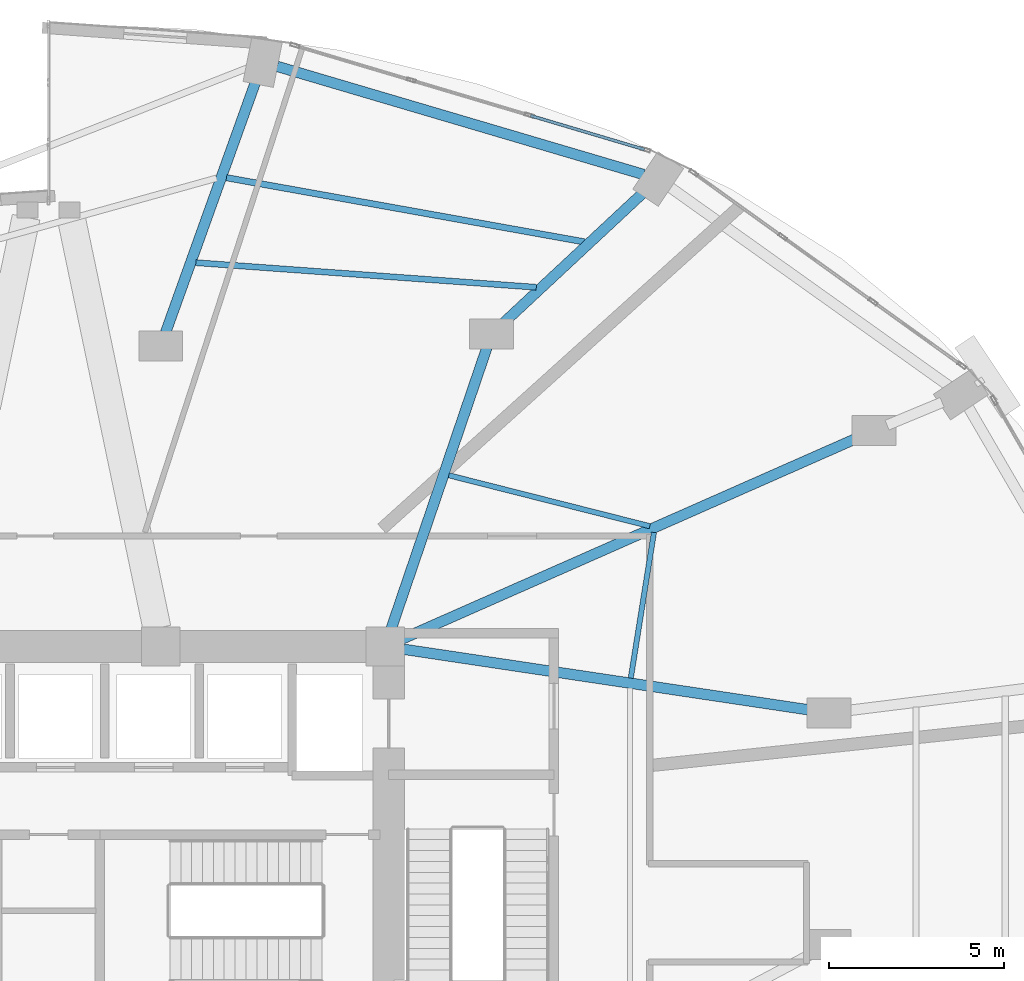
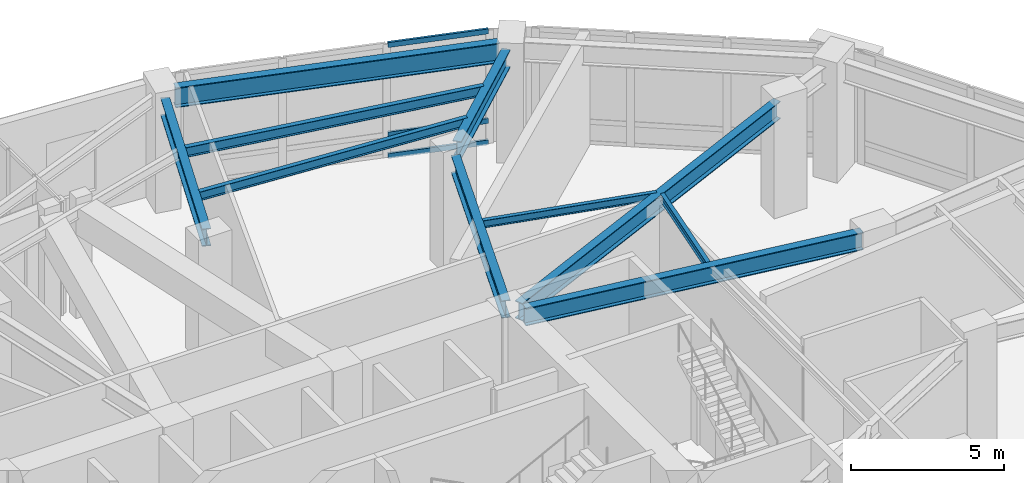
# One storey, part 16 of 24: 10 beams, 3 members, 1 element without a shape of its own.
"""IFC4 building model written with IfcOpenShell, lengths in metres."""

from ifc_helpers import new_model, si_unit, direction, frame, origin, origin_2d, place, context, subcontext, project, spatial, hollow_rectangle, i_section, extrude, material, layer, layer_set, material_profile, profile_set, type_object, element, aggregate, save


model = new_model("IFC4")

# Units and contexts
model_context = context("Model", 3, precision=1e-05, world=origin(), true_north=direction((0.0, 1.0)))
body_context = subcontext(model_context, "Body", "Model", "MODEL_VIEW")
ifc_project = project(units=[si_unit("LENGTHUNIT", "METRE"), si_unit("AREAUNIT", "SQUARE_METRE"), si_unit("VOLUMEUNIT", "CUBIC_METRE"), si_unit("PLANEANGLEUNIT", "RADIAN"), si_unit("MASSUNIT", "GRAM", prefix="KILO")], contexts=[model_context])

# Site, building, storey
site_placement = place(None, origin())
site = spatial("IfcSite", under=ifc_project, at=site_placement, CompositionType="ELEMENT")
building_placement = place(site_placement, origin())
building = spatial("IfcBuilding", under=site, at=building_placement, Name="Lazwardi Medical Tower", CompositionType="ELEMENT")
storey_placement = place(building_placement, frame((0.0, 0.0, 6.0)))
storey = spatial("IfcBuildingStorey", under=building, at=storey_placement, Name="L01", CompositionType="ELEMENT", Elevation=6.0)

# Beams
ifc_material_1 = material(Name="Steel S355", Category="steel")
ifc_material_profile_1 = material_profile(ifc_material_1, i_section(OverallWidth=0.300048828125, OverallDepth=0.800048828125, WebThickness=0.017578125, FlangeThickness=0.032958984375, at=origin_2d()), Name="HEB 800")
ifc_profile_set_1 = profile_set([ifc_material_profile_1], Name="Steel S355")
beam_type_1 = type_object("IfcBeamType", Name="BM-RB-P1", PredefinedType="BEAM", material=ifc_profile_set_1)
beam_1_placement = place(storey_placement, frame((52.976806640625, 49.0634765625, 4.1201171875), z_axis=(-0.959103395471, 0.283055960537, 0.0), x_axis=(-0.283055960537, -0.959103395471, 0.0)))
element("IfcBeam", 1, at=beam_1_placement, inside=storey, type_object=beam_type_1, Name="Ring beam RB-01 B07 L01", PredefinedType="BEAM", context=body_context, shape_type="SweptSolid", body=[
    extrude(i_section(OverallWidth=0.300048828125, OverallDepth=0.800048828125, WebThickness=0.017578125, FlangeThickness=0.032958984375, at=origin_2d()), origin(), (0.0, 0.0, 1.0), 10.904052734375),
])
ifc_material_profile_2 = material_profile(ifc_material_1, i_section(OverallWidth=0.300048828125, OverallDepth=0.699951171875, WebThickness=0.01708984375, FlangeThickness=0.031982421875, at=origin_2d()), Name="HEB 700")
ifc_profile_set_2 = profile_set([ifc_material_profile_2], Name="Steel S355")
beam_type_2 = type_object("IfcBeamType", Name="BM-RG-P1", PredefinedType="BEAM", material=ifc_profile_set_2)
beam_2_placement = place(storey_placement, frame((57.867431640625, 33.76513671875, 4.169921875), z_axis=(-0.988996622553, 0.147938097117, 0.0), x_axis=(-0.147938097117, -0.988996622553, 0.0)))
element("IfcBeam", 2, at=beam_2_placement, inside=storey, type_object=beam_type_2, Name="Radial girder RG-01 R05B L01", PredefinedType="BEAM", context=body_context, shape_type="SweptSolid", body=[
    extrude(i_section(OverallWidth=0.300048828125, OverallDepth=0.699951171875, WebThickness=0.01708984375, FlangeThickness=0.031982421875, at=origin_2d()), origin(), (0.0, 0.0, 1.0), 11.868896484375),
])
beam_3_placement = place(storey_placement, frame((59.18408203125, 41.598388671875, 4.169921875), z_axis=(-0.914785112543, -0.403940834616, 0.0), x_axis=(0.403940834616, -0.914785112543, 0.0)))
element("IfcBeam", 3, at=beam_3_placement, inside=storey, type_object=beam_type_2, Name="Radial girder RG-01 R06B L01", PredefinedType="BEAM", context=body_context, shape_type="SweptSolid", body=[
    extrude(i_section(OverallWidth=0.300048828125, OverallDepth=0.699951171875, WebThickness=0.01708984375, FlangeThickness=0.031982421875, at=origin_2d()), origin(), (0.0, 0.0, 1.0), 14.314453125),
])
beam_4_placement = place(storey_placement, frame((52.965087890625, 48.54638671875, 4.169921875), z_axis=(-0.731566851874, -0.681769712761, 0.0), x_axis=(0.681769712761, -0.731566851874, 0.0)))
element("IfcBeam", 4, at=beam_4_placement, inside=storey, type_object=beam_type_2, Name="Radial girder RG-01 R07A L01", PredefinedType="BEAM", context=body_context, shape_type="SweptSolid", body=[
    extrude(i_section(OverallWidth=0.300048828125, OverallDepth=0.699951171875, WebThickness=0.01708984375, FlangeThickness=0.031982421875, at=origin_2d()), origin(), (0.0, 0.0, 1.0), 5.5205078125),
])
beam_5_placement = place(storey_placement, frame((48.505126953125, 44.13134765625, 4.169921875), z_axis=(-0.322346711858, -0.946621675937, 0.0), x_axis=(0.946621675937, -0.322346711858, 0.0)))
element("IfcBeam", 5, at=beam_5_placement, inside=storey, type_object=beam_type_2, Name="Radial girder RG-01 R07B L01", PredefinedType="BEAM", context=body_context, shape_type="SweptSolid", body=[
    extrude(i_section(OverallWidth=0.300048828125, OverallDepth=0.699951171875, WebThickness=0.01708984375, FlangeThickness=0.031982421875, at=origin_2d()), origin(), (0.0, 0.0, 1.0), 8.477294921875),
])
beam_6_placement = place(storey_placement, frame((41.910400390625, 51.7255859375, 4.169921875), z_axis=(-0.337851658054, -0.941199371627, 0.0), x_axis=(0.941199371627, -0.337851658054, 0.0)))
element("IfcBeam", 6, at=beam_6_placement, inside=storey, type_object=beam_type_2, Name="Radial girder RG-01 R08A L01", PredefinedType="BEAM", context=body_context, shape_type="SweptSolid", body=[
    extrude(i_section(OverallWidth=0.300048828125, OverallDepth=0.699951171875, WebThickness=0.01708984375, FlangeThickness=0.031982421875, at=origin_2d()), origin(), (0.0, 0.0, 1.0), 7.622314453125),
])
ifc_material_profile_3 = material_profile(ifc_material_1, i_section(OverallWidth=0.179931640625, OverallDepth=0.39990234375, WebThickness=0.008544921875, FlangeThickness=0.013427734375, at=origin_2d()), Name="IPE 400")
ifc_profile_set_3 = profile_set([ifc_material_profile_3], Name="Steel S355")
beam_type_3 = type_object("IfcBeamType", Name="BM-SJ-01", PredefinedType="JOIST", material=ifc_profile_set_3)
beam_7_placement = place(storey_placement, frame((51.28759765625, 47.141845703125, 4.320068359375), z_axis=(-0.984289560311, 0.176561778036, 0.0), x_axis=(-0.176561778036, -0.984289560311, 0.0)))
element("IfcBeam", 7, at=beam_7_placement, inside=storey, type_object=beam_type_3, Name="Secondary joist SJ-01 RO1 B07 L01", PredefinedType="JOIST", context=body_context, shape_type="SweptSolid", body=[
    extrude(i_section(OverallWidth=0.179931640625, OverallDepth=0.39990234375, WebThickness=0.008544921875, FlangeThickness=0.013427734375, at=origin_2d()), origin(), (0.0, 0.0, 1.0), 10.376220703125),
])
ifc_material_profile_4 = material_profile(ifc_material_1, i_section(OverallWidth=0.169921875, OverallDepth=0.360107421875, WebThickness=0.008056640625, FlangeThickness=0.0126953125, at=origin_2d()), Name="IPE 360")
ifc_profile_set_4 = profile_set([ifc_material_profile_4], Name="Steel S355")
beam_type_4 = type_object("IfcBeamType", Name="BM-SJ-02", PredefinedType="JOIST", material=ifc_profile_set_4)
beam_8_placement = place(storey_placement, frame((49.91259765625, 45.846923828125, 4.340087890625), z_axis=(-0.997391314172, 0.07218425323, 0.0), x_axis=(-0.07218425323, -0.997391314172, 0.0)))
element("IfcBeam", 8, at=beam_8_placement, inside=storey, type_object=beam_type_4, Name="Secondary joist SJ-02 RO2 B07 L01", PredefinedType="JOIST", context=body_context, shape_type="SweptSolid", body=[
    extrude(i_section(OverallWidth=0.169921875, OverallDepth=0.360107421875, WebThickness=0.008056640625, FlangeThickness=0.0126953125, at=origin_2d()), origin(), (0.0, 0.0, 1.0), 9.7373046875),
])
ifc_material_profile_5 = material_profile(ifc_material_1, i_section(OverallWidth=0.14990234375, OverallDepth=0.300048828125, WebThickness=0.007080078125, FlangeThickness=0.0107421875, at=origin_2d()), Name="IPE 300")
ifc_profile_set_5 = profile_set([ifc_material_profile_5], Name="Steel S355")
beam_type_5 = type_object("IfcBeamType", Name="BM-SJ-03", PredefinedType="JOIST", material=ifc_profile_set_5)
beam_9_placement = place(storey_placement, frame((52.60791015625, 34.698486328125, 4.3701171875), z_axis=(0.15709189447, 0.98758398969, 0.0), x_axis=(-0.98758398969, 0.15709189447, 0.0)))
element("IfcBeam", 9, at=beam_9_placement, inside=storey, type_object=beam_type_5, Name="Secondary joist SJ-03 RI1 B05 L01", PredefinedType="JOIST", context=body_context, shape_type="SweptSolid", body=[
    extrude(i_section(OverallWidth=0.14990234375, OverallDepth=0.300048828125, WebThickness=0.007080078125, FlangeThickness=0.0107421875, at=origin_2d()), origin(), (0.0, 0.0, 1.0), 4.20703125),
])
beam_10_placement = place(storey_placement, frame((53.15087890625, 39.031982421875, 4.3701171875), z_axis=(-0.969385296143, 0.245544593957, 0.0), x_axis=(-0.245544593957, -0.969385296143, 0.0)))
element("IfcBeam", 10, at=beam_10_placement, inside=storey, type_object=beam_type_5, Name="Secondary joist SJ-03 RI1 B06 L01", PredefinedType="JOIST", context=body_context, shape_type="SweptSolid", body=[
    extrude(i_section(OverallWidth=0.14990234375, OverallDepth=0.300048828125, WebThickness=0.007080078125, FlangeThickness=0.0107421875, at=origin_2d()), origin(), (0.0, 0.0, 1.0), 5.916015625),
])

# Curtain wall, members
ifc_material_2 = material(Name="Anodised bronze aluminium and solar control glazing", Category="aluminium")
ifc_layer = layer(ifc_material_2, 0.219970703125)
ifc_layer_set = layer_set([ifc_layer], Name="Anodised bronze aluminium and solar control glazing")
curtain_wall_type = type_object("IfcCurtainWallType", Name="CW-SYS-01", PredefinedType="NOTDEFINED", material=ifc_layer_set)
curtain_wall_placement = place(storey_placement, origin())
curtain_wall = element("IfcCurtainWall", 11, at=curtain_wall_placement, inside=storey, type_object=curtain_wall_type, Name="L01 Unitised bronze curtain wall CW-01", PredefinedType="NOTDEFINED")
ifc_material_3 = material(Name="Anodised bronze aluminium", Category="aluminium")
ifc_material_profile_6 = material_profile(ifc_material_3, hollow_rectangle(XDim=0.0849609375, YDim=0.199951171875, WallThickness=0.00439453125, at=origin_2d()), Name="ALU-TRANSOM 200x85x4.5")
ifc_profile_set_6 = profile_set([ifc_material_profile_6], Name="Anodised bronze aluminium")
member_type = type_object("IfcMemberType", Name="CW-TRN-02", PredefinedType="USERDEFINED", material=ifc_profile_set_6)
member_1_placement = place(storey_placement, frame((52.9931640625, 49.778564453125, 0.04248046875), z_axis=(-0.958525157923, 0.285007932572, 0.0), x_axis=(-0.285007932572, -0.958525157923, 0.0)))
member_1 = element("IfcMember", 12, at=member_1_placement, type_object=member_type, Name="CW-01 transom 1.1", ObjectType="TRANSOM", PredefinedType="USERDEFINED", context=body_context, shape_type="SweptSolid", body=[
    extrude(hollow_rectangle(XDim=0.0849609375, YDim=0.199951171875, WallThickness=0.00439453125, at=origin_2d()), origin(), (0.0, 0.0, 1.0), 3.380126953125),
])
member_2_placement = place(storey_placement, frame((52.9931640625, 49.778564453125, 0.89990234375), z_axis=(-0.958525157923, 0.285007932572, 0.0), x_axis=(-0.285007932572, -0.958525157923, 0.0)))
member_2 = element("IfcMember", 13, at=member_2_placement, type_object=member_type, Name="CW-01 transom 1.2", ObjectType="TRANSOM", PredefinedType="USERDEFINED", context=body_context, shape_type="SweptSolid", body=[
    extrude(hollow_rectangle(XDim=0.0849609375, YDim=0.199951171875, WallThickness=0.00439453125, at=origin_2d()), origin(), (0.0, 0.0, 1.0), 3.380126953125),
])
member_3_placement = place(storey_placement, frame((52.9931640625, 49.778564453125, 4.4775390625), z_axis=(-0.958525157923, 0.285007932572, 0.0), x_axis=(-0.285007932572, -0.958525157923, 0.0)))
member_3 = element("IfcMember", 14, at=member_3_placement, type_object=member_type, Name="CW-01 transom 1.3", ObjectType="TRANSOM", PredefinedType="USERDEFINED", context=body_context, shape_type="SweptSolid", body=[
    extrude(hollow_rectangle(XDim=0.0849609375, YDim=0.199951171875, WallThickness=0.00439453125, at=origin_2d()), origin(), (0.0, 0.0, 1.0), 3.380126953125),
])
aggregate(curtain_wall, [member_1, member_2, member_3])

save(model, "model.ifc")
